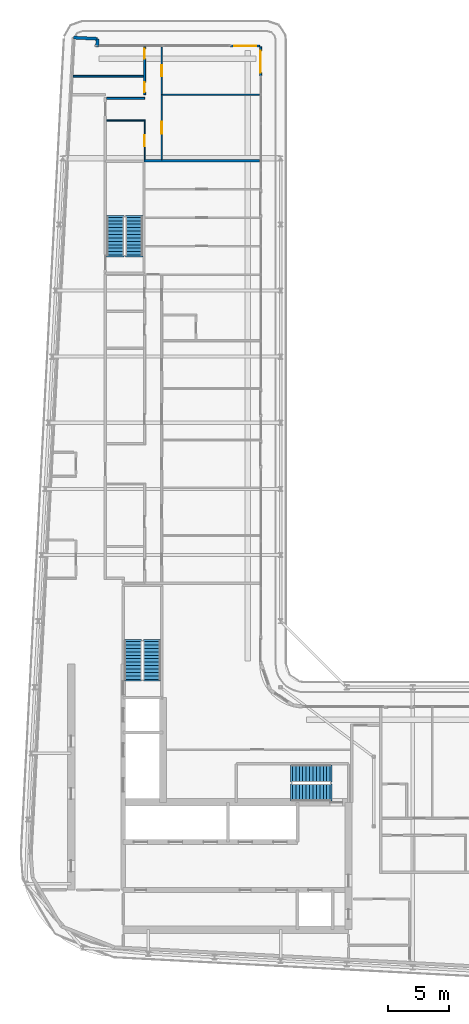
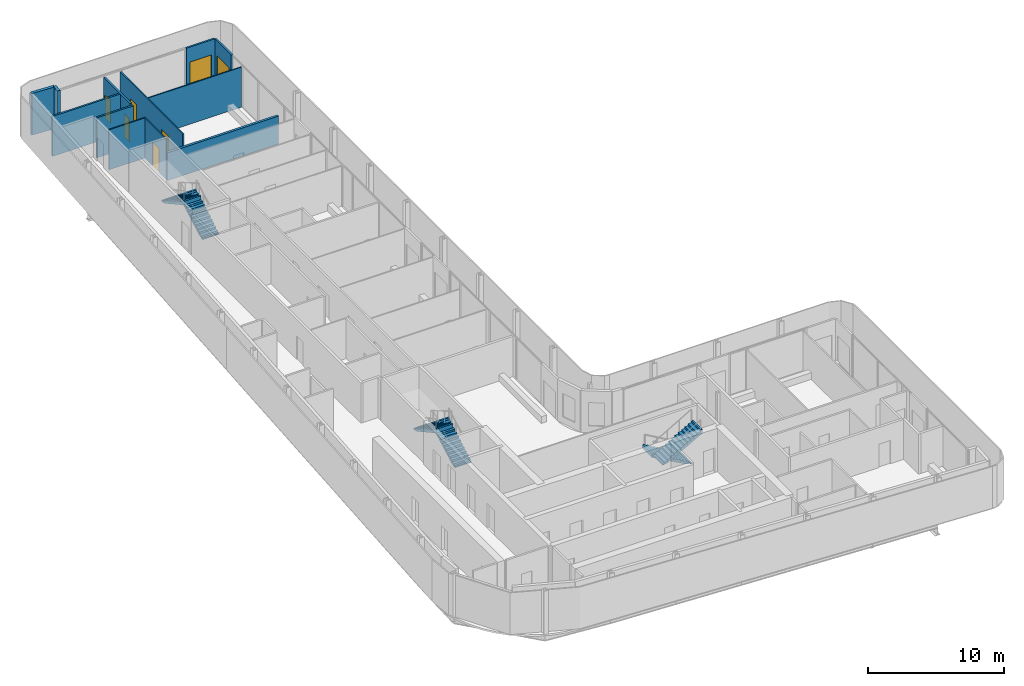
# One storey, part 15 of 21: 12 walls, 7 doors, 6 stair flights, 7 openings, 3 elements without a shape of their own.
"""IFC4 building model written with IfcOpenShell, lengths in metres."""

from ifc_helpers import new_model, si_unit, direction, frame, frame_2d, origin, place, context, subcontext, project, spatial, polyline, rectangle, outline, extrude, source, transform, mapped, material, layer, layer_set, type_object, element, fill, aggregate, save


model = new_model("IFC4")

# Units and contexts
model_context = context("Model", 3, precision=1e-05, world=origin(), true_north=direction((0.0, 1.0)))
body_context = subcontext(model_context, "Body", "Model", "MODEL_VIEW")
ifc_project = project(units=[si_unit("LENGTHUNIT", "METRE"), si_unit("AREAUNIT", "SQUARE_METRE"), si_unit("VOLUMEUNIT", "CUBIC_METRE"), si_unit("PLANEANGLEUNIT", "RADIAN"), si_unit("MASSUNIT", "GRAM", prefix="KILO")], contexts=[model_context])

# Site, building, storey
site_placement = place(None, origin())
site = spatial("IfcSite", under=ifc_project, at=site_placement, CompositionType="ELEMENT")
building_placement = place(site_placement, origin())
building = spatial("IfcBuilding", under=site, at=building_placement, Name="Kheshtan School and Residences Tower", CompositionType="ELEMENT")
storey_placement = place(building_placement, frame((0.0, 0.0, 317.60009765625)))
storey = spatial("IfcBuildingStorey", under=building, at=storey_placement, Name="L75", CompositionType="ELEMENT", Elevation=317.60009765625)

# Walls
ifc_material_1 = material(Name="Concrete C40/50 with ceramic cladding and mineral wool insulation", Category="concrete")
ifc_layer_1 = layer(ifc_material_1, 0.25)
ifc_layer_set_1 = layer_set([ifc_layer_1], Name="External wall 250 ceramic clad")
wall_type_1 = type_object("IfcWallType", Name="External wall 250 ceramic clad", PredefinedType="SOLIDWALL", material=ifc_layer_set_1)
wall_1_placement = place(storey_placement, frame((30.705078125, 98.6640625, 0.0), z_axis=(0.0, 0.0, 1.0), x_axis=(0.998577785791, -0.053314216913, 0.0)))
element("IfcWall", 1, at=wall_1_placement, inside=storey, type_object=wall_type_1, Name="External wall L75 5", PredefinedType="SOLIDWALL", context=body_context, shape_type="SweptSolid", body=[
    extrude(rectangle(XDim=1.95068359375, YDim=0.25, at=frame_2d((0.975341796875, 0.0))), origin(), (0.0, 0.0, 1.0), 3.75),
])
wall_2_placement = place(storey_placement, frame((32.653076171875, 98.56005859375, 0.0), z_axis=(0.0, 0.0, 1.0), x_axis=(-0.054093451632, -0.998535877418, 0.0)))
element("IfcWall", 2, at=wall_2_placement, inside=storey, type_object=wall_type_1, Name="External wall L75 6", PredefinedType="SOLIDWALL", context=body_context, shape_type="SweptSolid", body=[
    extrude(rectangle(XDim=0.66796875, YDim=0.25, at=frame_2d((0.333984375, 0.0))), origin(), (0.0, 0.0, 1.0), 3.75),
])

# Wall, opening, door
ifc_material_2 = material(Name="Aluminium frame wall with insulated infill", Category="aluminium")
ifc_layer_2 = layer(ifc_material_2, 0.14990234375)
ifc_layer_set_2 = layer_set([ifc_layer_2], Name="Glazing frame wall 150")
wall_type_2 = type_object("IfcWallType", Name="Glazing frame wall 150", PredefinedType="SOLIDWALL", material=ifc_layer_set_2)
wall_3_placement = place(storey_placement, frame((43.5, 97.97509765625, 0.0), z_axis=(0.0, 0.0, 1.0), x_axis=(1.0, 0.0, 0.0)))
wall_3 = element("IfcWall", 3, at=wall_3_placement, inside=storey, type_object=wall_type_2, Name="Balcony door wall L75 7.1", PredefinedType="SOLIDWALL", context=body_context, shape_type="SweptSolid", body=[
    extrude(rectangle(XDim=2.39990234375, YDim=0.14990234375, at=frame_2d((1.199951171875, 0.0))), origin(), (0.0, 0.0, 1.0), 3.75),
])
opening_1_placement = place(wall_3_placement, frame((0.300048828125, 0.0, 0.0)))
opening_1 = element("IfcOpeningElement", 4, at=opening_1_placement, cuts=wall_3, Name="Opening BD", PredefinedType="OPENING", context=body_context, shape_type="SweptSolid", body=[
    extrude(rectangle(XDim=1.800048828125, YDim=2.39990234375, at=frame_2d((0.89990234375, 1.199951171875))), frame((0.0, 0.0849609375, 0.0), z_axis=(0.0, -1.0, 0.0), x_axis=(1.0, 0.0, 0.0)), (0.0, 0.0, 1.0), 0.169921875),
])
ifc_material_3 = material(Name="Clear low-e glass in thermally broken aluminium frame", Category="aluminium")
door_type_1 = type_object("IfcDoorType", Name="Balcony sliding door", OperationType="SLIDING_TO_LEFT", PredefinedType="DOOR", material=ifc_material_3)
shared_shape_1 = source(origin(), body_context, "Body", "SweptSolid", [
    extrude(rectangle(XDim=1.800048828125, YDim=2.39990234375, at=frame_2d((0.89990234375, 1.199951171875))), frame((0.0, 0.02490234375, 0.0), z_axis=(0.0, -1.0, 0.0), x_axis=(1.0, 0.0, 0.0)), (0.0, 0.0, 1.0), 0.050048828125),
])
door_1_placement = place(opening_1_placement, origin())
door_1 = element("IfcDoor", 5, at=door_1_placement, inside=storey, type_object=door_type_1, Name="Balcony door L75 7.1", OperationType="SLIDING_TO_LEFT", OverallHeight=2.39990234375, OverallWidth=1.800048828125, PredefinedType="DOOR", context=body_context, shape_type="MappedRepresentation", body=[
    mapped(shared_shape_1, transform((0.0, 0.0, 0.0), x_axis=(1.0, 0.0, 0.0), y_axis=(0.0, 1.0, 0.0), z_axis=(0.0, 0.0, 1.0), scale=1.0)),
])
fill(opening_1, door_1)

wall_4_placement = place(storey_placement, frame((45.97509765625, 97.89990234375, 0.0), z_axis=(0.0, 0.0, 1.0), x_axis=(0.0, -1.0, 0.0)))
wall_4 = element("IfcWall", 6, at=wall_4_placement, inside=storey, type_object=wall_type_2, Name="Balcony door wall L75 8.1", PredefinedType="SOLIDWALL", context=body_context, shape_type="SweptSolid", body=[
    extrude(rectangle(XDim=2.39990234375, YDim=0.14990234375, at=frame_2d((1.199951171875, 0.0))), origin(), (0.0, 0.0, 1.0), 3.75),
])
opening_2_placement = place(wall_4_placement, frame((0.300048828125, 0.0, 0.0)))
opening_2 = element("IfcOpeningElement", 7, at=opening_2_placement, cuts=wall_4, Name="Opening BD", PredefinedType="OPENING", context=body_context, shape_type="SweptSolid", body=[
    extrude(rectangle(XDim=1.800048828125, YDim=2.39990234375, at=frame_2d((0.89990234375, 1.199951171875))), frame((0.0, 0.0849609375, 0.0), z_axis=(0.0, -1.0, 0.0), x_axis=(1.0, 0.0, 0.0)), (0.0, 0.0, 1.0), 0.169921875),
])
door_2_placement = place(opening_2_placement, origin())
door_2 = element("IfcDoor", 8, at=door_2_placement, inside=storey, type_object=door_type_1, Name="Balcony door L75 8.1", OperationType="SLIDING_TO_LEFT", OverallHeight=2.39990234375, OverallWidth=1.800048828125, PredefinedType="DOOR", context=body_context, shape_type="MappedRepresentation", body=[
    mapped(shared_shape_1, transform((0.0, 0.0, 0.0), x_axis=(1.0, 0.0, 0.0), y_axis=(0.0, 1.0, 0.0), z_axis=(0.0, 0.0, 1.0), scale=1.0)),
])
fill(opening_2, door_2)

# Wall
ifc_material_4 = material(Name="Gypsum board on steel studs", Category="steel")
ifc_layer_3 = layer(ifc_material_4, 0.10009765625)
ifc_layer_set_3 = layer_set([ifc_layer_3], Name="Gypsum partition 100")
wall_type_3 = type_object("IfcWallType", Name="Gypsum partition 100", PredefinedType="PARTITIONING", material=ifc_layer_set_3)
wall_5_placement = place(storey_placement, frame((33.39990234375, 91.89990234375, 0.0), z_axis=(0.0, 0.0, 1.0), x_axis=(1.0, 0.0, 0.0)))
element("IfcWall", 9, at=wall_5_placement, inside=storey, type_object=wall_type_3, Name="Partition L75-012", PredefinedType="PARTITIONING", context=body_context, shape_type="SweptSolid", body=[
    extrude(rectangle(XDim=3.050048828125, YDim=0.10009765625, at=frame_2d((1.52490234375, 0.0))), origin(), (0.0, 0.0, 1.0), 3.599853515625),
])

# Wall, opening, door
wall_6_placement = place(storey_placement, frame((36.5, 88.699951171875, 0.0), z_axis=(0.0, 0.0, 1.0), x_axis=(0.0, 1.0, 0.0)))
wall_6 = element("IfcWall", 10, at=wall_6_placement, inside=storey, type_object=wall_type_3, Name="Partition L75-020", PredefinedType="PARTITIONING", context=body_context, shape_type="SweptSolid", body=[
    extrude(rectangle(XDim=3.25, YDim=0.10009765625, at=frame_2d((1.625, 0.0))), origin(), (0.0, 0.0, 1.0), 3.599853515625),
])
opening_3_placement = place(wall_6_placement, frame((1.10009765625, 0.0, 0.0)))
opening_3 = element("IfcOpeningElement", 11, at=opening_3_placement, cuts=wall_6, Name="Opening D75-029", PredefinedType="OPENING", context=body_context, shape_type="SweptSolid", body=[
    extrude(rectangle(XDim=0.89990234375, YDim=2.10009765625, at=frame_2d((0.449951171875, 1.050048828125))), frame((0.0, 0.06005859375, 0.0), z_axis=(0.0, -1.0, 0.0), x_axis=(1.0, 0.0, 0.0)), (0.0, 0.0, 1.0), 0.1201171875),
])
ifc_material_5 = material(Name="Veneered timber door leaf", Category="wood")
door_type_2 = type_object("IfcDoorType", Name="Door 900 x 2100", OperationType="SINGLE_SWING_LEFT", PredefinedType="DOOR", material=ifc_material_5)
shared_shape_2 = source(origin(), body_context, "Body", "SweptSolid", [
    extrude(rectangle(XDim=0.89990234375, YDim=2.10009765625, at=frame_2d((0.449951171875, 1.050048828125))), frame((0.0, 0.02490234375, 0.0), z_axis=(0.0, -1.0, 0.0), x_axis=(1.0, 0.0, 0.0)), (0.0, 0.0, 1.0), 0.050048828125),
])
door_3_placement = place(opening_3_placement, origin())
door_3 = element("IfcDoor", 12, at=door_3_placement, inside=storey, type_object=door_type_2, Name="Door D75-029", OperationType="SINGLE_SWING_LEFT", OverallHeight=2.10009765625, OverallWidth=0.89990234375, PredefinedType="DOOR", context=body_context, shape_type="MappedRepresentation", body=[
    mapped(shared_shape_2, transform((0.0, 0.0, 0.0), x_axis=(1.0, 0.0, 0.0), y_axis=(0.0, 1.0, 0.0), z_axis=(0.0, 0.0, 1.0), scale=1.0)),
])
fill(opening_3, door_3)

# Wall, openings, doors
wall_7_placement = place(storey_placement, frame((37.89990234375, 88.699951171875, 0.0), z_axis=(0.0, 0.0, 1.0), x_axis=(0.0, 1.0, 0.0)))
wall_7 = element("IfcWall", 13, at=wall_7_placement, inside=storey, type_object=wall_type_3, Name="Partition L75-026", PredefinedType="PARTITIONING", context=body_context, shape_type="SweptSolid", body=[
    extrude(rectangle(XDim=9.199951171875, YDim=0.10009765625, at=frame_2d((4.60009765625, 0.0))), origin(), (0.0, 0.0, 1.0), 3.599853515625),
])
opening_4_placement = place(wall_7_placement, frame((6.800048828125, 0.0, 0.0)))
opening_4 = element("IfcOpeningElement", 14, at=opening_4_placement, cuts=wall_7, Name="Opening D75-027", PredefinedType="OPENING", context=body_context, shape_type="SweptSolid", body=[
    extrude(rectangle(XDim=0.89990234375, YDim=2.10009765625, at=frame_2d((0.449951171875, 1.050048828125))), frame((0.0, 0.06005859375, 0.0), z_axis=(0.0, -1.0, 0.0), x_axis=(1.0, 0.0, 0.0)), (0.0, 0.0, 1.0), 0.1201171875),
])
opening_5_placement = place(wall_7_placement, frame((2.10009765625, 0.0, 0.0)))
opening_5 = element("IfcOpeningElement", 15, at=opening_5_placement, cuts=wall_7, Name="Opening D75-030", PredefinedType="OPENING", context=body_context, shape_type="SweptSolid", body=[
    extrude(rectangle(XDim=1.0, YDim=2.10009765625, at=frame_2d((0.5, 1.050048828125))), frame((0.0, 0.06005859375, 0.0), z_axis=(0.0, -1.0, 0.0), x_axis=(1.0, 0.0, 0.0)), (0.0, 0.0, 1.0), 0.1201171875),
])
door_type_3 = type_object("IfcDoorType", Name="Door 1000 x 2100", OperationType="SINGLE_SWING_LEFT", PredefinedType="DOOR", material=ifc_material_5)
shared_shape_3 = source(origin(), body_context, "Body", "SweptSolid", [
    extrude(rectangle(XDim=1.0, YDim=2.10009765625, at=frame_2d((0.5, 1.050048828125))), frame((0.0, 0.02490234375, 0.0), z_axis=(0.0, -1.0, 0.0), x_axis=(1.0, 0.0, 0.0)), (0.0, 0.0, 1.0), 0.050048828125),
])
door_4_placement = place(opening_5_placement, origin())
door_4 = element("IfcDoor", 16, at=door_4_placement, inside=storey, type_object=door_type_3, Name="Door D75-030", OperationType="SINGLE_SWING_LEFT", OverallHeight=2.10009765625, OverallWidth=1.0, PredefinedType="DOOR", context=body_context, shape_type="MappedRepresentation", body=[
    mapped(shared_shape_3, transform((0.0, 0.0, 0.0), x_axis=(1.0, 0.0, 0.0), y_axis=(0.0, 1.0, 0.0), z_axis=(0.0, 0.0, 1.0), scale=1.0)),
])
fill(opening_5, door_4)
door_5_placement = place(opening_4_placement, origin())
door_5 = element("IfcDoor", 17, at=door_5_placement, inside=storey, type_object=door_type_2, Name="Door D75-027", OperationType="SINGLE_SWING_RIGHT", OverallHeight=2.10009765625, OverallWidth=0.89990234375, PredefinedType="DOOR", context=body_context, shape_type="MappedRepresentation", body=[
    mapped(shared_shape_2, transform((0.0, 0.0, 0.0), x_axis=(1.0, 0.0, 0.0), y_axis=(0.0, 1.0, 0.0), z_axis=(0.0, 0.0, 1.0), scale=1.0)),
])
fill(opening_4, door_5)

# Walls
wall_8_placement = place(storey_placement, frame((37.949951171875, 94.0, 0.0), z_axis=(0.0, 0.0, 1.0), x_axis=(1.0, 0.0, 0.0)))
element("IfcWall", 18, at=wall_8_placement, inside=storey, type_object=wall_type_3, Name="Partition L75-027", PredefinedType="PARTITIONING", context=body_context, shape_type="SweptSolid", body=[
    extrude(rectangle(XDim=7.949951171875, YDim=0.10009765625, at=frame_2d((3.97509765625, 0.0))), origin(), (0.0, 0.0, 1.0), 3.599853515625),
])
ifc_material_6 = material(Name="Twin gypsum board on steel studs with mineral wool", Category="steel")
ifc_layer_4 = layer(ifc_material_6, 0.199951171875)
ifc_layer_set_4 = layer_set([ifc_layer_4], Name="Unit demising wall 200")
wall_type_4 = type_object("IfcWallType", Name="Unit demising wall 200", PredefinedType="PARTITIONING", material=ifc_layer_set_4)
wall_9_placement = place(storey_placement, frame((36.449951171875, 88.60009765625, 0.0), z_axis=(0.0, 0.0, 1.0), x_axis=(1.0, 0.0, 0.0)))
element("IfcWall", 19, at=wall_9_placement, inside=storey, type_object=wall_type_4, Name="Partition L75-016", PredefinedType="PARTITIONING", context=body_context, shape_type="SweptSolid", body=[
    extrude(rectangle(XDim=9.449951171875, YDim=0.199951171875, at=frame_2d((4.72509765625, 0.0))), origin(), (0.0, 0.0, 1.0), 2.5),
])
ifc_material_7 = material(Name="Moisture-resistant gypsum board on steel studs", Category="steel")
ifc_layer_5 = layer(ifc_material_7, 0.14990234375)
ifc_layer_set_5 = layer_set([ifc_layer_5], Name="Wet-room partition 150")
wall_type_5 = type_object("IfcWallType", Name="Wet-room partition 150", PredefinedType="PARTITIONING", material=ifc_layer_set_5)
wall_10_placement = place(storey_placement, frame((30.6640625, 95.5, 0.0), z_axis=(0.0, 0.0, 1.0), x_axis=(1.0, 0.0, 0.0)))
element("IfcWall", 20, at=wall_10_placement, inside=storey, type_object=wall_type_5, Name="Partition L75-001", PredefinedType="PARTITIONING", context=body_context, shape_type="SweptSolid", body=[
    extrude(rectangle(XDim=5.760986328125, YDim=0.14990234375, at=frame_2d((2.88037109375, 0.0))), origin(), (0.0, 0.0, 1.0), 3.599853515625),
])
wall_11_placement = place(storey_placement, frame((33.39990234375, 93.699951171875, 0.0), z_axis=(0.0, 0.0, 1.0), x_axis=(1.0, 0.0, 0.0)))
element("IfcWall", 21, at=wall_11_placement, inside=storey, type_object=wall_type_5, Name="Partition L75-013", PredefinedType="PARTITIONING", context=body_context, shape_type="SweptSolid", body=[
    extrude(rectangle(XDim=3.10009765625, YDim=0.14990234375, at=frame_2d((1.550048828125, 0.0))), origin(), (0.0, 0.0, 1.0), 3.599853515625),
])

# Wall, openings, doors
wall_12_placement = place(storey_placement, frame((36.5, 94.0, 0.0), z_axis=(0.0, 0.0, 1.0), x_axis=(0.0, 1.0, 0.0)))
wall_12 = element("IfcWall", 22, at=wall_12_placement, inside=storey, type_object=wall_type_5, Name="Partition L75-021", PredefinedType="PARTITIONING", context=body_context, shape_type="SweptSolid", body=[
    extrude(rectangle(XDim=3.89990234375, YDim=0.14990234375, at=frame_2d((1.949951171875, 0.0))), origin(), (0.0, 0.0, 1.0), 3.599853515625),
])
opening_6_placement = place(wall_12_placement, frame((2.949951171875, 0.0, 0.0)))
opening_6 = element("IfcOpeningElement", 23, at=opening_6_placement, cuts=wall_12, Name="Opening D75-026", PredefinedType="OPENING", context=body_context, shape_type="SweptSolid", body=[
    extrude(rectangle(XDim=0.800048828125, YDim=2.10009765625, at=frame_2d((0.39990234375, 1.050048828125))), frame((0.0, 0.0849609375, 0.0), z_axis=(0.0, -1.0, 0.0), x_axis=(1.0, 0.0, 0.0)), (0.0, 0.0, 1.0), 0.169921875),
])
opening_7_placement = place(wall_12_placement, frame((0.199951171875, 0.0, 0.0)))
opening_7 = element("IfcOpeningElement", 24, at=opening_7_placement, cuts=wall_12, Name="Opening D75-031", PredefinedType="OPENING", context=body_context, shape_type="SweptSolid", body=[
    extrude(rectangle(XDim=0.800048828125, YDim=2.10009765625, at=frame_2d((0.39990234375, 1.050048828125))), frame((0.0, 0.0849609375, 0.0), z_axis=(0.0, -1.0, 0.0), x_axis=(1.0, 0.0, 0.0)), (0.0, 0.0, 1.0), 0.169921875),
])
door_type_4 = type_object("IfcDoorType", Name="Door 800 x 2100", OperationType="SINGLE_SWING_LEFT", PredefinedType="DOOR", material=ifc_material_5)
shared_shape_4 = source(origin(), body_context, "Body", "SweptSolid", [
    extrude(rectangle(XDim=0.800048828125, YDim=2.10009765625, at=frame_2d((0.39990234375, 1.050048828125))), frame((0.0, 0.02490234375, 0.0), z_axis=(0.0, -1.0, 0.0), x_axis=(1.0, 0.0, 0.0)), (0.0, 0.0, 1.0), 0.050048828125),
])
door_6_placement = place(opening_6_placement, origin())
door_6 = element("IfcDoor", 25, at=door_6_placement, inside=storey, type_object=door_type_4, Name="Door D75-026", OperationType="SINGLE_SWING_LEFT", OverallHeight=2.10009765625, OverallWidth=0.800048828125, PredefinedType="DOOR", context=body_context, shape_type="MappedRepresentation", body=[
    mapped(shared_shape_4, transform((0.0, 0.0, 0.0), x_axis=(1.0, 0.0, 0.0), y_axis=(0.0, 1.0, 0.0), z_axis=(0.0, 0.0, 1.0), scale=1.0)),
])
fill(opening_6, door_6)
door_7_placement = place(opening_7_placement, origin())
door_7 = element("IfcDoor", 26, at=door_7_placement, inside=storey, type_object=door_type_4, Name="Door D75-031", OperationType="SINGLE_SWING_RIGHT", OverallHeight=2.10009765625, OverallWidth=0.800048828125, PredefinedType="DOOR", context=body_context, shape_type="MappedRepresentation", body=[
    mapped(shared_shape_4, transform((0.0, 0.0, 0.0), x_axis=(1.0, 0.0, 0.0), y_axis=(0.0, 1.0, 0.0), z_axis=(0.0, 0.0, 1.0), scale=1.0)),
])
fill(opening_7, door_7)

# Stair, stair flights
ifc_material_8 = material(Name="Concrete C40/50", Category="concrete")
stair_type = type_object("IfcStairType", Name="Exit stair, half-turn", PredefinedType="HALF_TURN_STAIR", material=ifc_material_8)
stair_1_placement = place(storey_placement, origin())
stair_1 = element("IfcStair", 27, at=stair_1_placement, inside=storey, type_object=stair_type, Name="L75 Protected Exit Stair ST1", PredefinedType="HALF_TURN_STAIR")
ifc_layer_6 = layer(ifc_material_8, 0.14990234375)
ifc_layer_set_6 = layer_set([ifc_layer_6], Name="Stair flight 1400 Concrete C40/50")
stair_flight_type = type_object("IfcStairFlightType", Name="Stair flight 1400 Concrete C40/50", PredefinedType="STRAIGHT", material=ifc_layer_set_6)
stair_flight_1_placement = place(storey_placement, frame((51.64990234375, 38.550048828125, 0.0), z_axis=(0.0, 0.0, 1.0), x_axis=(-1.0, 0.0, 0.0)))
stair_flight_1 = element("IfcStairFlight", 28, at=stair_flight_1_placement, type_object=stair_flight_type, Name="ST1 flight 1", NumberOfRisers=12, NumberOfTreads=11, PredefinedType="STRAIGHT", RiserHeight=0.1625, TreadLength=0.28, context=body_context, shape_type="SweptSolid", body=[
    extrude(outline(polyline([(-0.14990234375, -0.10009765625), (-0.14990234375, 0.0), (0.0, 0.0), (0.0, 0.16259765625), (0.280029296875, 0.16259765625), (0.280029296875, 0.324951171875), (0.56005859375, 0.324951171875), (0.56005859375, 0.487548828125), (0.840087890625, 0.487548828125), (0.840087890625, 0.64990234375), (1.1201171875, 0.64990234375), (1.1201171875, 0.8125), (1.39990234375, 0.8125), (1.39990234375, 0.97509765625), (1.679931640625, 0.97509765625), (1.679931640625, 1.137451171875), (1.9599609375, 1.137451171875), (1.9599609375, 1.300048828125), (2.239990234375, 1.300048828125), (2.239990234375, 1.46240234375), (2.52001953125, 1.46240234375), (2.52001953125, 1.625), (2.800048828125, 1.625), (2.800048828125, 1.78759765625), (3.080078125, 1.78759765625), (3.080078125, 1.949951171875), (3.080078125, 1.969970703125), (3.22998046875, 1.969970703125), (3.22998046875, 1.6142578125), (0.298583984375, 0.0), (-0.14990234375, -0.10009765625)])), frame((0.0, 0.699951171875, 0.0), z_axis=(0.0, -1.0, 0.0), x_axis=(1.0, 0.0, 0.0)), (0.0, 0.0, 1.0), 1.39990234375),
])
stair_flight_2_placement = place(storey_placement, frame((48.570068359375, 37.0, 1.949951171875), z_axis=(0.0, 0.0, 1.0), x_axis=(1.0, 0.0, 0.0)))
stair_flight_2 = element("IfcStairFlight", 29, at=stair_flight_2_placement, type_object=stair_flight_type, Name="ST1 flight 2", NumberOfRisers=12, NumberOfTreads=11, PredefinedType="STRAIGHT", RiserHeight=0.1625, TreadLength=0.28, context=body_context, shape_type="SweptSolid", body=[
    extrude(outline(polyline([(-0.14990234375, -0.10009765625), (-0.14990234375, 0.0), (0.0, 0.0), (0.0, 0.16259765625), (0.280029296875, 0.16259765625), (0.280029296875, 0.324951171875), (0.56005859375, 0.324951171875), (0.56005859375, 0.487548828125), (0.840087890625, 0.487548828125), (0.840087890625, 0.64990234375), (1.1201171875, 0.64990234375), (1.1201171875, 0.8125), (1.39990234375, 0.8125), (1.39990234375, 0.97509765625), (1.679931640625, 0.97509765625), (1.679931640625, 1.137451171875), (1.9599609375, 1.137451171875), (1.9599609375, 1.300048828125), (2.239990234375, 1.300048828125), (2.239990234375, 1.46240234375), (2.52001953125, 1.46240234375), (2.52001953125, 1.625), (2.800048828125, 1.625), (2.800048828125, 1.78759765625), (3.080078125, 1.78759765625), (3.080078125, 1.949951171875), (3.080078125, 1.969970703125), (3.22998046875, 1.969970703125), (3.22998046875, 1.6142578125), (0.298583984375, 0.0), (-0.14990234375, -0.10009765625)])), frame((0.0, 0.699951171875, 0.0), z_axis=(0.0, -1.0, 0.0), x_axis=(1.0, 0.0, 0.0)), (0.0, 0.0, 1.0), 1.39990234375),
])
aggregate(stair_1, [stair_flight_1, stair_flight_2])

stair_2_placement = place(storey_placement, origin())
stair_2 = element("IfcStair", 30, at=stair_2_placement, inside=storey, type_object=stair_type, Name="L75 Protected Exit Stair ST2", PredefinedType="HALF_TURN_STAIR")
stair_flight_3_placement = place(storey_placement, frame((37.10009765625, 46.25, 0.0), z_axis=(0.0, 0.0, 1.0), x_axis=(0.0, 1.0, 0.0)))
stair_flight_3 = element("IfcStairFlight", 31, at=stair_flight_3_placement, type_object=stair_flight_type, Name="ST2 flight 1", NumberOfRisers=12, NumberOfTreads=11, PredefinedType="STRAIGHT", RiserHeight=0.1625, TreadLength=0.28, context=body_context, shape_type="SweptSolid", body=[
    extrude(outline(polyline([(-0.14990234375, -0.10009765625), (-0.14990234375, 0.0), (0.0, 0.0), (0.0, 0.16259765625), (0.280029296875, 0.16259765625), (0.280029296875, 0.324951171875), (0.56005859375, 0.324951171875), (0.56005859375, 0.487548828125), (0.840087890625, 0.487548828125), (0.840087890625, 0.64990234375), (1.1201171875, 0.64990234375), (1.1201171875, 0.8125), (1.39990234375, 0.8125), (1.39990234375, 0.97509765625), (1.679931640625, 0.97509765625), (1.679931640625, 1.137451171875), (1.9599609375, 1.137451171875), (1.9599609375, 1.300048828125), (2.239990234375, 1.300048828125), (2.239990234375, 1.46240234375), (2.52001953125, 1.46240234375), (2.52001953125, 1.625), (2.800048828125, 1.625), (2.800048828125, 1.78759765625), (3.080078125, 1.78759765625), (3.080078125, 1.949951171875), (3.080078125, 1.969970703125), (3.22998046875, 1.969970703125), (3.22998046875, 1.6142578125), (0.298583984375, 0.0), (-0.14990234375, -0.10009765625)])), frame((0.0, 0.699951171875, 0.0), z_axis=(0.0, -1.0, 0.0), x_axis=(1.0, 0.0, 0.0)), (0.0, 0.0, 1.0), 1.39990234375),
])
stair_flight_4_placement = place(storey_placement, frame((35.550048828125, 49.330078125, 1.949951171875), z_axis=(0.0, 0.0, 1.0), x_axis=(0.0, -1.0, 0.0)))
stair_flight_4 = element("IfcStairFlight", 32, at=stair_flight_4_placement, type_object=stair_flight_type, Name="ST2 flight 2", NumberOfRisers=12, NumberOfTreads=11, PredefinedType="STRAIGHT", RiserHeight=0.1625, TreadLength=0.28, context=body_context, shape_type="SweptSolid", body=[
    extrude(outline(polyline([(-0.14990234375, -0.10009765625), (-0.14990234375, 0.0), (0.0, 0.0), (0.0, 0.16259765625), (0.280029296875, 0.16259765625), (0.280029296875, 0.324951171875), (0.56005859375, 0.324951171875), (0.56005859375, 0.487548828125), (0.840087890625, 0.487548828125), (0.840087890625, 0.64990234375), (1.1201171875, 0.64990234375), (1.1201171875, 0.8125), (1.39990234375, 0.8125), (1.39990234375, 0.97509765625), (1.679931640625, 0.97509765625), (1.679931640625, 1.137451171875), (1.9599609375, 1.137451171875), (1.9599609375, 1.300048828125), (2.239990234375, 1.300048828125), (2.239990234375, 1.46240234375), (2.52001953125, 1.46240234375), (2.52001953125, 1.625), (2.800048828125, 1.625), (2.800048828125, 1.78759765625), (3.080078125, 1.78759765625), (3.080078125, 1.949951171875), (3.080078125, 1.969970703125), (3.22998046875, 1.969970703125), (3.22998046875, 1.6142578125), (0.298583984375, 0.0), (-0.14990234375, -0.10009765625)])), frame((0.0, 0.699951171875, 0.0), z_axis=(0.0, -1.0, 0.0), x_axis=(1.0, 0.0, 0.0)), (0.0, 0.0, 1.0), 1.39990234375),
])
aggregate(stair_2, [stair_flight_3, stair_flight_4])

stair_3_placement = place(storey_placement, origin())
stair_3 = element("IfcStair", 33, at=stair_3_placement, inside=storey, type_object=stair_type, Name="L75 Protected Exit Stair ST3", PredefinedType="HALF_TURN_STAIR")
stair_flight_5_placement = place(storey_placement, frame((35.64990234375, 80.89990234375, 0.0), z_axis=(0.0, 0.0, 1.0), x_axis=(0.0, 1.0, 0.0)))
stair_flight_5 = element("IfcStairFlight", 34, at=stair_flight_5_placement, type_object=stair_flight_type, Name="ST3 flight 1", NumberOfRisers=12, NumberOfTreads=11, PredefinedType="STRAIGHT", RiserHeight=0.1625, TreadLength=0.28, context=body_context, shape_type="SweptSolid", body=[
    extrude(outline(polyline([(-0.14990234375, -0.10009765625), (-0.14990234375, 0.0), (0.0, 0.0), (0.0, 0.16259765625), (0.280029296875, 0.16259765625), (0.280029296875, 0.324951171875), (0.56005859375, 0.324951171875), (0.56005859375, 0.487548828125), (0.840087890625, 0.487548828125), (0.840087890625, 0.64990234375), (1.1201171875, 0.64990234375), (1.1201171875, 0.8125), (1.39990234375, 0.8125), (1.39990234375, 0.97509765625), (1.679931640625, 0.97509765625), (1.679931640625, 1.137451171875), (1.9599609375, 1.137451171875), (1.9599609375, 1.300048828125), (2.239990234375, 1.300048828125), (2.239990234375, 1.46240234375), (2.52001953125, 1.46240234375), (2.52001953125, 1.625), (2.800048828125, 1.625), (2.800048828125, 1.78759765625), (3.080078125, 1.78759765625), (3.080078125, 1.949951171875), (3.080078125, 1.969970703125), (3.22998046875, 1.969970703125), (3.22998046875, 1.6142578125), (0.298583984375, 0.0), (-0.14990234375, -0.10009765625)])), frame((0.0, 0.699951171875, 0.0), z_axis=(0.0, -1.0, 0.0), x_axis=(1.0, 0.0, 0.0)), (0.0, 0.0, 1.0), 1.39990234375),
])
stair_flight_6_placement = place(storey_placement, frame((34.10009765625, 83.97998046875, 1.949951171875), z_axis=(0.0, 0.0, 1.0), x_axis=(0.0, -1.0, 0.0)))
stair_flight_6 = element("IfcStairFlight", 35, at=stair_flight_6_placement, type_object=stair_flight_type, Name="ST3 flight 2", NumberOfRisers=12, NumberOfTreads=11, PredefinedType="STRAIGHT", RiserHeight=0.1625, TreadLength=0.28, context=body_context, shape_type="SweptSolid", body=[
    extrude(outline(polyline([(-0.14990234375, -0.10009765625), (-0.14990234375, 0.0), (0.0, 0.0), (0.0, 0.16259765625), (0.280029296875, 0.16259765625), (0.280029296875, 0.324951171875), (0.56005859375, 0.324951171875), (0.56005859375, 0.487548828125), (0.840087890625, 0.487548828125), (0.840087890625, 0.64990234375), (1.1201171875, 0.64990234375), (1.1201171875, 0.8125), (1.39990234375, 0.8125), (1.39990234375, 0.97509765625), (1.679931640625, 0.97509765625), (1.679931640625, 1.137451171875), (1.9599609375, 1.137451171875), (1.9599609375, 1.300048828125), (2.239990234375, 1.300048828125), (2.239990234375, 1.46240234375), (2.52001953125, 1.46240234375), (2.52001953125, 1.625), (2.800048828125, 1.625), (2.800048828125, 1.78759765625), (3.080078125, 1.78759765625), (3.080078125, 1.949951171875), (3.080078125, 1.969970703125), (3.22998046875, 1.969970703125), (3.22998046875, 1.6142578125), (0.298583984375, 0.0), (-0.14990234375, -0.10009765625)])), frame((0.0, 0.699951171875, 0.0), z_axis=(0.0, -1.0, 0.0), x_axis=(1.0, 0.0, 0.0)), (0.0, 0.0, 1.0), 1.39990234375),
])
aggregate(stair_3, [stair_flight_5, stair_flight_6])

save(model, "model.ifc")
